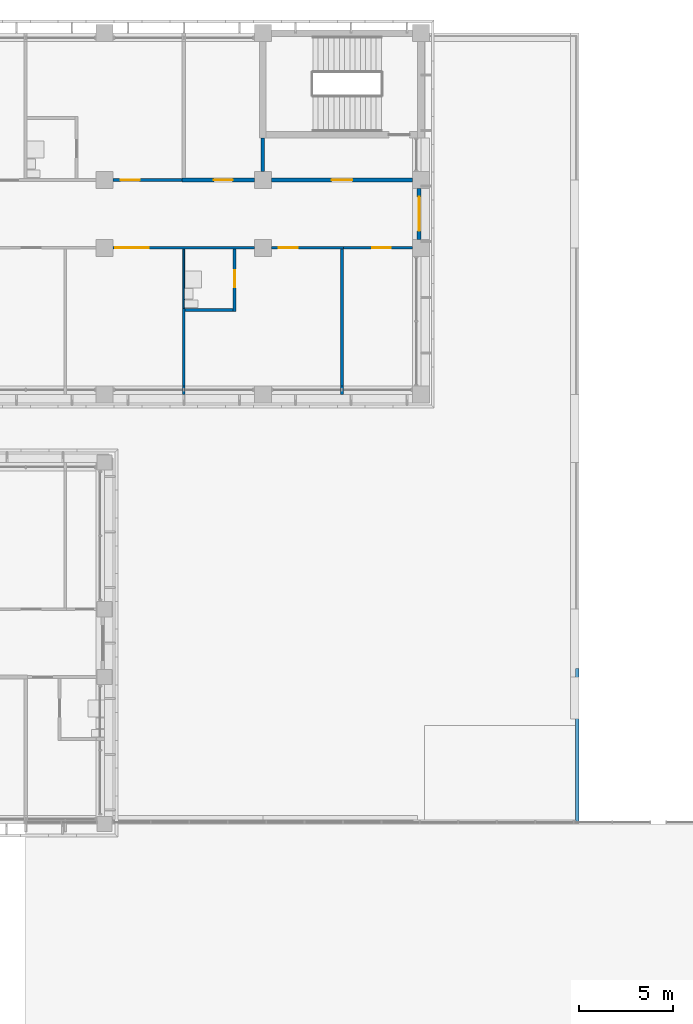
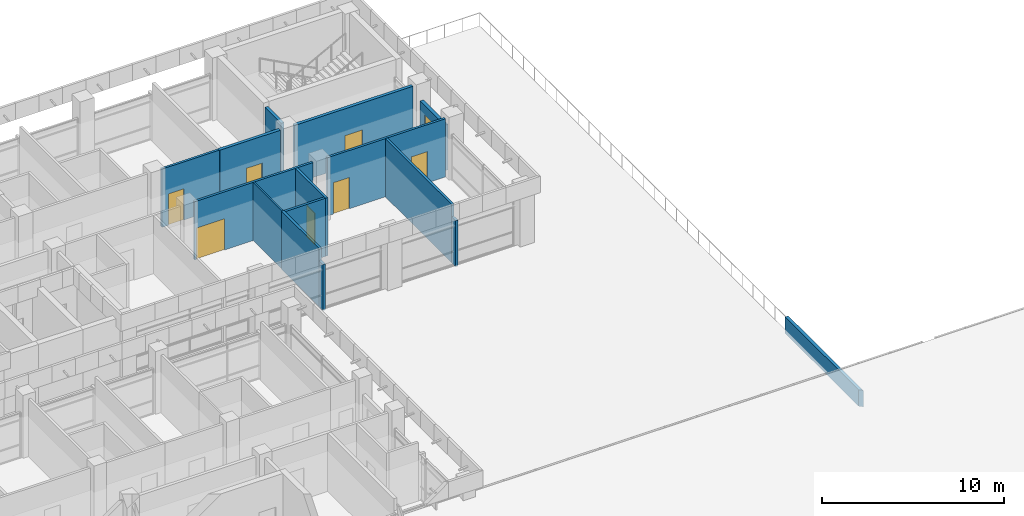
# One storey, part 86 of 137: 16 walls, 8 doors, 8 openings.
"""IFC4 building model written with IfcOpenShell, lengths in metres."""

from ifc_helpers import new_model, si_unit, direction, frame, frame_2d, origin, place, context, subcontext, project, spatial, polyline, rectangle, outline, extrude, material, layer, layer_set, type_object, element, fill, save


model = new_model("IFC4")

# Units and contexts
model_context = context("Model", 3, precision=1e-05, world=origin(), true_north=direction((0.0, 1.0)))
body_context = subcontext(model_context, "Body", "Model", "MODEL_VIEW")
ifc_project = project(units=[si_unit("LENGTHUNIT", "METRE"), si_unit("AREAUNIT", "SQUARE_METRE"), si_unit("VOLUMEUNIT", "CUBIC_METRE"), si_unit("PLANEANGLEUNIT", "RADIAN"), si_unit("MASSUNIT", "GRAM", prefix="KILO")], contexts=[model_context])

# Site, building, storey
site_placement = place(None, origin())
site = spatial("IfcSite", under=ifc_project, at=site_placement, CompositionType="ELEMENT")
building_placement = place(site_placement, origin())
building = spatial("IfcBuilding", under=site, at=building_placement, Name="Bougainvillea Quay General Hospital", CompositionType="ELEMENT")
storey_placement = place(building_placement, frame((0.0, 0.0, 16.800048828125)))
storey = spatial("IfcBuildingStorey", under=building, at=storey_placement, Name="L03", CompositionType="ELEMENT", Elevation=16.800048828125)

# Wall, opening, door
ifc_material_1 = material(Name="Insulated aluminium panel cladding, anodised silver", Category="aluminium")
ifc_layer_1 = layer(ifc_material_1, 0.199951171875)
ifc_layer_set_1 = layer_set([ifc_layer_1], Name="Insulated aluminium panel cladding, anodised silver")
wall_type_1 = type_object("IfcWallType", Name="Entrance portal wall 200", PredefinedType="STANDARD", material=ifc_layer_set_1)
wall_1_placement = place(storey_placement, frame((184.699951171875, 148.64990234375, 0.0), z_axis=(0.0, 0.0, 1.0), x_axis=(0.0, 1.0, 0.0)))
wall_1 = element("IfcWall", 1, at=wall_1_placement, inside=storey, type_object=wall_type_1, Name="External wall cw/V5A/L03/e05/portal1/00a", PredefinedType="STANDARD", context=body_context, shape_type="SweptSolid", body=[
    extrude(rectangle(XDim=2.7001953125, YDim=0.199951171875, at=frame_2d((1.35009765625, 0.0))), origin(), (0.0, 0.0, 1.0), 3.050048828125),
])
opening_1_placement = place(wall_1_placement, frame((0.449951171875, 0.0, 0.0)))
opening_1 = element("IfcOpeningElement", 2, at=opening_1_placement, cuts=wall_1, Name="Opening L03.235", PredefinedType="OPENING", context=body_context, shape_type="SweptSolid", body=[
    extrude(rectangle(XDim=1.800048828125, YDim=2.39990234375, at=frame_2d((0.89990234375, 1.199951171875))), frame((0.0, 0.10986328125, 0.0), z_axis=(0.0, -1.0, 0.0), x_axis=(1.0, 0.0, 0.0)), (0.0, 0.0, 1.0), 0.219970703125),
])
ifc_material_2 = material(Name="Aluminium and glass door set", Category="aluminium")
door_type_1 = type_object("IfcDoorType", Name="Terrace door 1800x2400", OperationType="DOUBLE_DOOR_SINGLE_SWING", PredefinedType="DOOR", material=ifc_material_2)
door_1_placement = place(opening_1_placement, frame((1.800048828125, 0.0, 0.0), z_axis=(0.0, 0.0, 1.0), x_axis=(-1.0, 0.0, 0.0)))
door_1 = element("IfcDoor", 3, at=door_1_placement, inside=storey, type_object=door_type_1, Name="Roof garden door 2", OperationType="SINGLE_SWING_LEFT", OverallHeight=2.39990234375, OverallWidth=1.800048828125, PredefinedType="DOOR", context=body_context, shape_type="SweptSolid", body=[
    extrude(rectangle(XDim=1.800048828125, YDim=2.39990234375, at=frame_2d((0.89990234375, 1.199951171875))), frame((0.0, 0.02490234375, 0.0), z_axis=(0.0, -1.0, 0.0), x_axis=(1.0, 0.0, 0.0)), (0.0, 0.0, 1.0), 0.050048828125),
])
fill(opening_1, door_1)

# Walls
ifc_material_3 = material(Name="Gypsum board partition on steel studs", Category="steel")
ifc_layer_2 = layer(ifc_material_3, 0.10009765625)
ifc_layer_set_2 = layer_set([ifc_layer_2], Name="Gypsum board partition on steel studs")
wall_type_2 = type_object("IfcWallType", Name="Partition 100 Gypsum board partition", PredefinedType="PARTITIONING", material=ifc_layer_set_2)
wall_2_placement = place(storey_placement, frame((172.199951171875, 144.97509765625, 0.0), z_axis=(0.0, 0.0, 1.0), x_axis=(0.0, 1.0, 0.0)))
element("IfcWall", 4, at=wall_2_placement, inside=storey, type_object=wall_type_2, Name="Partition 100 mm", PredefinedType="PARTITIONING", context=body_context, shape_type="SweptSolid", body=[
    extrude(rectangle(XDim=3.14990234375, YDim=0.10009765625, at=frame_2d((1.574951171875, 0.0))), origin(), (0.0, 0.0, 1.0), 3.89990234375),
])
ifc_material_4 = material(Name="Gypsum board partition on steel studs, insulated", Category="steel")
ifc_layer_3 = layer(ifc_material_4, 0.14990234375)
ifc_layer_set_3 = layer_set([ifc_layer_3], Name="Gypsum board partition on steel studs, insulated")
wall_type_3 = type_object("IfcWallType", Name="Partition 150 Gypsum board partition", PredefinedType="PARTITIONING", material=ifc_layer_set_3)
wall_3_placement = place(storey_placement, frame((180.60009765625, 140.39990234375, 0.0), z_axis=(0.0, 0.0, 1.0), x_axis=(0.0, 1.0, 0.0)))
element("IfcWall", 5, at=wall_3_placement, inside=storey, type_object=wall_type_3, Name="Partition 150 mm", PredefinedType="PARTITIONING", context=body_context, shape_type="SweptSolid", body=[
    extrude(rectangle(XDim=0.4501953125, YDim=0.14990234375, at=frame_2d((0.22509765625, 0.0))), origin(), (0.0, 0.0, 1.0), 3.079833984375),
])
wall_4_placement = place(storey_placement, frame((180.60009765625, 140.85009765625, 0.0), z_axis=(0.0, 0.0, 1.0), x_axis=(0.0, 1.0, 0.0)))
element("IfcWall", 6, at=wall_4_placement, inside=storey, type_object=wall_type_3, Name="Partition 150 mm", PredefinedType="PARTITIONING", context=body_context, shape_type="SweptSolid", body=[
    extrude(rectangle(XDim=7.27490234375, YDim=0.14990234375, at=frame_2d((3.637451171875, 0.0))), origin(), (0.0, 0.0, 1.0), 3.89990234375),
])
wall_5_placement = place(storey_placement, frame((172.199951171875, 140.39990234375, 0.0), z_axis=(0.0, 0.0, 1.0), x_axis=(0.0, 1.0, 0.0)))
element("IfcWall", 7, at=wall_5_placement, inside=storey, type_object=wall_type_3, Name="Partition 150 mm", PredefinedType="PARTITIONING", context=body_context, shape_type="SweptSolid", body=[
    extrude(rectangle(XDim=0.4501953125, YDim=0.14990234375, at=frame_2d((0.22509765625, 0.0))), origin(), (0.0, 0.0, 1.0), 3.079833984375),
])
wall_6_placement = place(storey_placement, frame((172.199951171875, 140.85009765625, 0.0), z_axis=(0.0, 0.0, 1.0), x_axis=(0.0, 1.0, 0.0)))
element("IfcWall", 8, at=wall_6_placement, inside=storey, type_object=wall_type_3, Name="Partition 150 mm", PredefinedType="PARTITIONING", context=body_context, shape_type="SweptSolid", body=[
    extrude(rectangle(XDim=4.125, YDim=0.14990234375, at=frame_2d((2.0625, 0.0))), origin(), (0.0, 0.0, 1.0), 3.89990234375),
])

# Wall, opening, door
wall_7_placement = place(storey_placement, frame((174.89990234375, 144.824951171875, 0.0), z_axis=(0.0, 0.0, 1.0), x_axis=(0.0, 1.0, 0.0)))
wall_7 = element("IfcWall", 9, at=wall_7_placement, inside=storey, type_object=wall_type_3, Name="Partition 150 mm", PredefinedType="PARTITIONING", context=body_context, shape_type="SweptSolid", body=[
    extrude(rectangle(XDim=3.300048828125, YDim=0.14990234375, at=frame_2d((1.64990234375, 0.0))), origin(), (0.0, 0.0, 1.0), 3.89990234375),
])
opening_2_placement = place(wall_7_placement, frame((1.27490234375, 0.0, 0.0)))
opening_2 = element("IfcOpeningElement", 10, at=opening_2_placement, cuts=wall_7, Name="Opening L03.060", PredefinedType="OPENING", context=body_context, shape_type="SweptSolid", body=[
    extrude(rectangle(XDim=0.89990234375, YDim=2.10009765625, at=frame_2d((0.449951171875, 1.050048828125))), frame((0.0, 0.0849609375, 0.0), z_axis=(0.0, -1.0, 0.0), x_axis=(1.0, 0.0, 0.0)), (0.0, 0.0, 1.0), 0.169921875),
])
ifc_material_5 = material(Name="Solid-core timber door leaf in steel frame", Category="steel")
door_type_2 = type_object("IfcDoorType", Name="Single leaf door 900x2100", OperationType="NOTDEFINED", PredefinedType="DOOR", material=ifc_material_5)
door_2_placement = place(opening_2_placement, origin())
door_2 = element("IfcDoor", 11, at=door_2_placement, inside=storey, type_object=door_type_2, Name="DT07 L03.060", OperationType="SINGLE_SWING_RIGHT", OverallHeight=2.10009765625, OverallWidth=0.89990234375, PredefinedType="DOOR", context=body_context, shape_type="SweptSolid", body=[
    extrude(rectangle(XDim=0.89990234375, YDim=2.10009765625, at=frame_2d((0.449951171875, 1.050048828125))), frame((0.0, 0.02490234375, 0.0), z_axis=(0.0, -1.0, 0.0), x_axis=(1.0, 0.0, 0.0)), (0.0, 0.0, 1.0), 0.050048828125),
])
fill(opening_2, door_2)

# Wall
wall_8_placement = place(storey_placement, frame((172.27490234375, 144.89990234375, 0.0), z_axis=(0.0, 0.0, 1.0), x_axis=(1.0, 0.0, 0.0)))
element("IfcWall", 12, at=wall_8_placement, inside=storey, type_object=wall_type_3, Name="Partition 150 mm", PredefinedType="PARTITIONING", context=body_context, shape_type="SweptSolid", body=[
    extrude(rectangle(XDim=2.550048828125, YDim=0.14990234375, at=frame_2d((1.27490234375, 0.0))), origin(), (0.0, 0.0, 1.0), 3.89990234375),
])

# Wall, opening, door
ifc_layer_4 = layer(ifc_material_4, 0.14990234375)
ifc_layer_set_4 = layer_set([ifc_layer_4], Name="Gypsum board partition on steel studs, insulated")
wall_type_4 = type_object("IfcWallType", Name="Partition 150 Gypsum board partition EI 30", PredefinedType="PARTITIONING", material=ifc_layer_set_4)
wall_9_placement = place(storey_placement, frame((180.675048828125, 148.199951171875, 0.0), z_axis=(0.0, 0.0, 1.0), x_axis=(-1.0, 0.0, 0.0)))
wall_9 = element("IfcWall", 13, at=wall_9_placement, inside=storey, type_object=wall_type_4, Name="Partition 150 mm EI 30", PredefinedType="PARTITIONING", context=body_context, shape_type="SweptSolid", body=[
    extrude(rectangle(XDim=3.824951171875, YDim=0.14990234375, at=frame_2d((1.91259765625, 0.0))), origin(), (0.0, 0.0, 1.0), 3.89990234375),
])
opening_3_placement = place(wall_9_placement, frame((2.425048828125, 0.0, 0.0)))
opening_3 = element("IfcOpeningElement", 14, at=opening_3_placement, cuts=wall_9, Name="Opening L03.059", PredefinedType="OPENING", context=body_context, shape_type="SweptSolid", body=[
    extrude(rectangle(XDim=1.0, YDim=2.10009765625, at=frame_2d((0.5, 1.050048828125))), frame((0.0, 0.0849609375, 0.0), z_axis=(0.0, -1.0, 0.0), x_axis=(1.0, 0.0, 0.0)), (0.0, 0.0, 1.0), 0.169921875),
])
door_type_3 = type_object("IfcDoorType", Name="Single leaf door 1000x2100 FD30S", OperationType="NOTDEFINED", PredefinedType="DOOR", material=ifc_material_5)
door_3_placement = place(opening_3_placement, origin())
door_3 = element("IfcDoor", 15, at=door_3_placement, inside=storey, type_object=door_type_3, Name="DT15 L03.059", OperationType="SINGLE_SWING_RIGHT", OverallHeight=2.10009765625, OverallWidth=1.0, PredefinedType="DOOR", context=body_context, shape_type="SweptSolid", body=[
    extrude(rectangle(XDim=1.0, YDim=2.10009765625, at=frame_2d((0.5, 1.050048828125))), frame((0.0, 0.02490234375, 0.0), z_axis=(0.0, -1.0, 0.0), x_axis=(1.0, 0.0, 0.0)), (0.0, 0.0, 1.0), 0.050048828125),
])
fill(opening_3, door_3)

wall_10_placement = place(storey_placement, frame((175.949951171875, 148.199951171875, 0.0), z_axis=(0.0, 0.0, 1.0), x_axis=(-1.0, 0.0, 0.0)))
wall_10 = element("IfcWall", 16, at=wall_10_placement, inside=storey, type_object=wall_type_4, Name="Partition 150 mm EI 30", PredefinedType="PARTITIONING", context=body_context, shape_type="SweptSolid", body=[
    extrude(rectangle(XDim=7.5, YDim=0.14990234375, at=frame_2d((3.75, 0.0))), origin(), (0.0, 0.0, 1.0), 3.89990234375),
])
opening_4_placement = place(wall_10_placement, frame((5.60009765625, 0.0, 0.0)))
opening_4 = element("IfcOpeningElement", 17, at=opening_4_placement, cuts=wall_10, Name="Opening L03.058", PredefinedType="OPENING", context=body_context, shape_type="SweptSolid", body=[
    extrude(rectangle(XDim=1.800048828125, YDim=2.10009765625, at=frame_2d((0.89990234375, 1.050048828125))), frame((0.0, 0.0849609375, 0.0), z_axis=(0.0, -1.0, 0.0), x_axis=(1.0, 0.0, 0.0)), (0.0, 0.0, 1.0), 0.169921875),
])
ifc_material_6 = material(Name="Solid-core timber door leaves in steel frame", Category="steel")
door_type_4 = type_object("IfcDoorType", Name="Double leaf door 1800x2100 FD30S", OperationType="DOUBLE_DOOR_SINGLE_SWING", PredefinedType="DOOR", material=ifc_material_6)
door_4_placement = place(opening_4_placement, origin())
door_4 = element("IfcDoor", 18, at=door_4_placement, inside=storey, type_object=door_type_4, Name="DT17 L03.058", OperationType="DOUBLE_DOOR_SINGLE_SWING", OverallHeight=2.10009765625, OverallWidth=1.800048828125, PredefinedType="DOOR", context=body_context, shape_type="SweptSolid", body=[
    extrude(rectangle(XDim=1.800048828125, YDim=2.10009765625, at=frame_2d((0.89990234375, 1.050048828125))), frame((0.0, 0.02490234375, 0.0), z_axis=(0.0, -1.0, 0.0), x_axis=(1.0, 0.0, 0.0)), (0.0, 0.0, 1.0), 0.050048828125),
])
fill(opening_4, door_4)

wall_11_placement = place(storey_placement, frame((172.10009765625, 151.800048828125, 0.0), z_axis=(0.0, 0.0, 1.0), x_axis=(-1.0, 0.0, 0.0)))
wall_11 = element("IfcWall", 19, at=wall_11_placement, inside=storey, type_object=wall_type_4, Name="Partition 150 mm EI 30", PredefinedType="PARTITIONING", context=body_context, shape_type="SweptSolid", body=[
    extrude(rectangle(XDim=3.650146484375, YDim=0.14990234375, at=frame_2d((1.8251953125, 0.0))), origin(), (0.0, 0.0, 1.0), 3.89990234375),
])
opening_5_placement = place(wall_11_placement, frame((2.25, 0.0, 0.0)))
opening_5 = element("IfcOpeningElement", 20, at=opening_5_placement, cuts=wall_11, Name="Opening L03.064", PredefinedType="OPENING", context=body_context, shape_type="SweptSolid", body=[
    extrude(rectangle(XDim=1.0, YDim=2.10009765625, at=frame_2d((0.5, 1.050048828125))), frame((0.0, 0.0849609375, 0.0), z_axis=(0.0, -1.0, 0.0), x_axis=(1.0, 0.0, 0.0)), (0.0, 0.0, 1.0), 0.169921875),
])
door_5_placement = place(opening_5_placement, frame((1.0, 0.0, 0.0), z_axis=(0.0, 0.0, 1.0), x_axis=(-1.0, 0.0, 0.0)))
door_5 = element("IfcDoor", 21, at=door_5_placement, inside=storey, type_object=door_type_3, Name="DT15 L03.064", OperationType="SINGLE_SWING_LEFT", OverallHeight=2.10009765625, OverallWidth=1.0, PredefinedType="DOOR", context=body_context, shape_type="SweptSolid", body=[
    extrude(rectangle(XDim=1.0, YDim=2.10009765625, at=frame_2d((0.5, 1.050048828125))), frame((0.0, 0.02490234375, 0.0), z_axis=(0.0, -1.0, 0.0), x_axis=(1.0, 0.0, 0.0)), (0.0, 0.0, 1.0), 0.050048828125),
])
fill(opening_5, door_5)

ifc_layer_5 = layer(ifc_material_4, 0.14990234375)
ifc_layer_set_5 = layer_set([ifc_layer_5], Name="Gypsum board partition on steel studs, insulated")
wall_type_5 = type_object("IfcWallType", Name="Partition 150 Gypsum board partition EI 60", PredefinedType="PARTITIONING", material=ifc_layer_set_5)
wall_12_placement = place(storey_placement, frame((180.675048828125, 148.199951171875, 0.0), z_axis=(0.0, 0.0, 1.0), x_axis=(1.0, 0.0, 0.0)))
wall_12 = element("IfcWall", 22, at=wall_12_placement, inside=storey, type_object=wall_type_5, Name="Partition 150 mm EI 60", PredefinedType="PARTITIONING", context=body_context, shape_type="SweptSolid", body=[
    extrude(rectangle(XDim=3.675048828125, YDim=0.14990234375, at=frame_2d((1.83740234375, 0.0))), origin(), (0.0, 0.0, 1.0), 3.89990234375),
])
opening_6_placement = place(wall_12_placement, frame((1.52490234375, 0.0, 0.0)))
opening_6 = element("IfcOpeningElement", 23, at=opening_6_placement, cuts=wall_12, Name="Opening L03.061", PredefinedType="OPENING", context=body_context, shape_type="SweptSolid", body=[
    extrude(rectangle(XDim=1.0, YDim=2.10009765625, at=frame_2d((0.5, 1.050048828125))), frame((0.0, 0.0849609375, 0.0), z_axis=(0.0, -1.0, 0.0), x_axis=(1.0, 0.0, 0.0)), (0.0, 0.0, 1.0), 0.169921875),
])
door_type_5 = type_object("IfcDoorType", Name="Single leaf door 1000x2100 FD60", OperationType="NOTDEFINED", PredefinedType="DOOR", material=ifc_material_5)
door_6_placement = place(opening_6_placement, frame((1.0, 0.0, 0.0), z_axis=(0.0, 0.0, 1.0), x_axis=(-1.0, 0.0, 0.0)))
door_6 = element("IfcDoor", 24, at=door_6_placement, inside=storey, type_object=door_type_5, Name="DT14 L03.061", OperationType="SINGLE_SWING_LEFT", OverallHeight=2.10009765625, OverallWidth=1.0, PredefinedType="DOOR", context=body_context, shape_type="SweptSolid", body=[
    extrude(rectangle(XDim=1.0, YDim=2.10009765625, at=frame_2d((0.5, 1.050048828125))), frame((0.0, 0.02490234375, 0.0), z_axis=(0.0, -1.0, 0.0), x_axis=(1.0, 0.0, 0.0)), (0.0, 0.0, 1.0), 0.050048828125),
])
fill(opening_6, door_6)

ifc_material_7 = material(Name="Fire-rated autoclaved aerated block wall, plastered")
ifc_layer_6 = layer(ifc_material_7, 0.199951171875)
ifc_layer_set_6 = layer_set([ifc_layer_6], Name="Fire-rated autoclaved aerated block wall, plastered")
wall_type_6 = type_object("IfcWallType", Name="Partition 200 Fire-rated autoclaved aerated block wall EI 120", PredefinedType="SOLIDWALL", material=ifc_layer_set_6)
wall_13_placement = place(storey_placement, frame((172.10009765625, 151.800048828125, 0.0), z_axis=(0.0, 0.0, 1.0), x_axis=(1.0, 0.0, 0.0)))
wall_13 = element("IfcWall", 25, at=wall_13_placement, inside=storey, type_object=wall_type_6, Name="Partition 200 mm EI 120", PredefinedType="SOLIDWALL", context=body_context, shape_type="SweptSolid", body=[
    extrude(rectangle(XDim=3.849853515625, YDim=0.199951171875, at=frame_2d((1.9248046875, 0.0))), origin(), (0.0, 0.0, 1.0), 3.89990234375),
])
opening_7_placement = place(wall_13_placement, frame((1.699951171875, 0.0, 0.0)))
opening_7 = element("IfcOpeningElement", 26, at=opening_7_placement, cuts=wall_13, Name="Opening L03.070", PredefinedType="OPENING", context=body_context, shape_type="SweptSolid", body=[
    extrude(rectangle(XDim=1.0, YDim=2.10009765625, at=frame_2d((0.5, 1.050048828125))), frame((0.0, 0.10986328125, 0.0), z_axis=(0.0, -1.0, 0.0), x_axis=(1.0, 0.0, 0.0)), (0.0, 0.0, 1.0), 0.219970703125),
])
ifc_material_8 = material(Name="Steel fire door leaf in steel frame", Category="steel")
door_type_6 = type_object("IfcDoorType", Name="Steel single leaf door 1000x2100 FD90", OperationType="NOTDEFINED", PredefinedType="DOOR", material=ifc_material_8)
door_7_placement = place(opening_7_placement, origin())
door_7 = element("IfcDoor", 27, at=door_7_placement, inside=storey, type_object=door_type_6, Name="DT11 L03.070", OperationType="SINGLE_SWING_RIGHT", OverallHeight=2.10009765625, OverallWidth=1.0, PredefinedType="DOOR", context=body_context, shape_type="SweptSolid", body=[
    extrude(rectangle(XDim=1.0, YDim=2.10009765625, at=frame_2d((0.5, 1.050048828125))), frame((0.0, 0.02490234375, 0.0), z_axis=(0.0, -1.0, 0.0), x_axis=(1.0, 0.0, 0.0)), (0.0, 0.0, 1.0), 0.050048828125),
])
fill(opening_7, door_7)

wall_14_placement = place(storey_placement, frame((176.85009765625, 151.800048828125, 0.0), z_axis=(0.0, 0.0, 1.0), x_axis=(1.0, 0.0, 0.0)))
wall_14 = element("IfcWall", 28, at=wall_14_placement, inside=storey, type_object=wall_type_6, Name="Partition 200 mm EI 120", PredefinedType="SOLIDWALL", context=body_context, shape_type="SweptSolid", body=[
    extrude(rectangle(XDim=7.5, YDim=0.199951171875, at=frame_2d((3.75, 0.0))), origin(), (0.0, 0.0, 1.0), 3.89990234375),
])
opening_8_placement = place(wall_14_placement, frame((3.199951171875, 0.0, 0.0)))
opening_8 = element("IfcOpeningElement", 29, at=opening_8_placement, cuts=wall_14, Name="Opening L03.204", PredefinedType="OPENING", context=body_context, shape_type="SweptSolid", body=[
    extrude(rectangle(XDim=1.10009765625, YDim=2.10009765625, at=frame_2d((0.550048828125, 1.050048828125))), frame((0.0, 0.10986328125, 0.0), z_axis=(0.0, -1.0, 0.0), x_axis=(1.0, 0.0, 0.0)), (0.0, 0.0, 1.0), 0.219970703125),
])
door_type_7 = type_object("IfcDoorType", Name="Steel single leaf door 1100x2100 FD60", OperationType="NOTDEFINED", PredefinedType="DOOR", material=ifc_material_8)
door_8_placement = place(opening_8_placement, origin())
door_8 = element("IfcDoor", 30, at=door_8_placement, inside=storey, type_object=door_type_7, Name="DT04 L03.204", OperationType="SINGLE_SWING_RIGHT", OverallHeight=2.10009765625, OverallWidth=1.10009765625, PredefinedType="DOOR", context=body_context, shape_type="SweptSolid", body=[
    extrude(rectangle(XDim=1.10009765625, YDim=2.10009765625, at=frame_2d((0.550048828125, 1.050048828125))), frame((0.0, 0.02490234375, 0.0), z_axis=(0.0, -1.0, 0.0), x_axis=(1.0, 0.0, 0.0)), (0.0, 0.0, 1.0), 0.050048828125),
])
fill(opening_8, door_8)

# Walls
wall_15_placement = place(storey_placement, frame((176.39990234375, 152.25, 0.0), z_axis=(0.0, 0.0, 1.0), x_axis=(0.0, 1.0, 0.0)))
element("IfcWall", 31, at=wall_15_placement, inside=storey, type_object=wall_type_6, Name="Partition 200 mm EI 120", PredefinedType="SOLIDWALL", context=body_context, shape_type="SweptSolid", body=[
    extrude(rectangle(XDim=1.77490234375, YDim=0.199951171875, at=frame_2d((0.887451171875, 0.0))), origin(), (0.0, 0.0, 1.0), 3.89990234375),
])
ifc_material_9 = material(Name="Concrete C35 upstand, painted white", Category="concrete")
ifc_layer_7 = layer(ifc_material_9, 0.199951171875)
ifc_layer_set_7 = layer_set([ifc_layer_7], Name="Concrete C35 upstand, painted white")
wall_type_7 = type_object("IfcWallType", Name="Roof parapet wall 200", PredefinedType="PARAPET", material=ifc_layer_set_7)
wall_16_placement = place(storey_placement, origin())
element("IfcWall", 32, at=wall_16_placement, inside=storey, type_object=wall_type_7, Name="Roof parapet par 1", PredefinedType="PARAPET", context=body_context, shape_type="SweptSolid", body=[
    extrude(outline(polyline([(193.0, 117.800048828125), (193.0, 125.85009765625), (193.199951171875, 125.85009765625), (193.199951171875, 117.60009765625), (193.0, 117.800048828125)])), origin(), (0.0, 0.0, 1.0), 1.099853515625),
])

save(model, "model.ifc")
